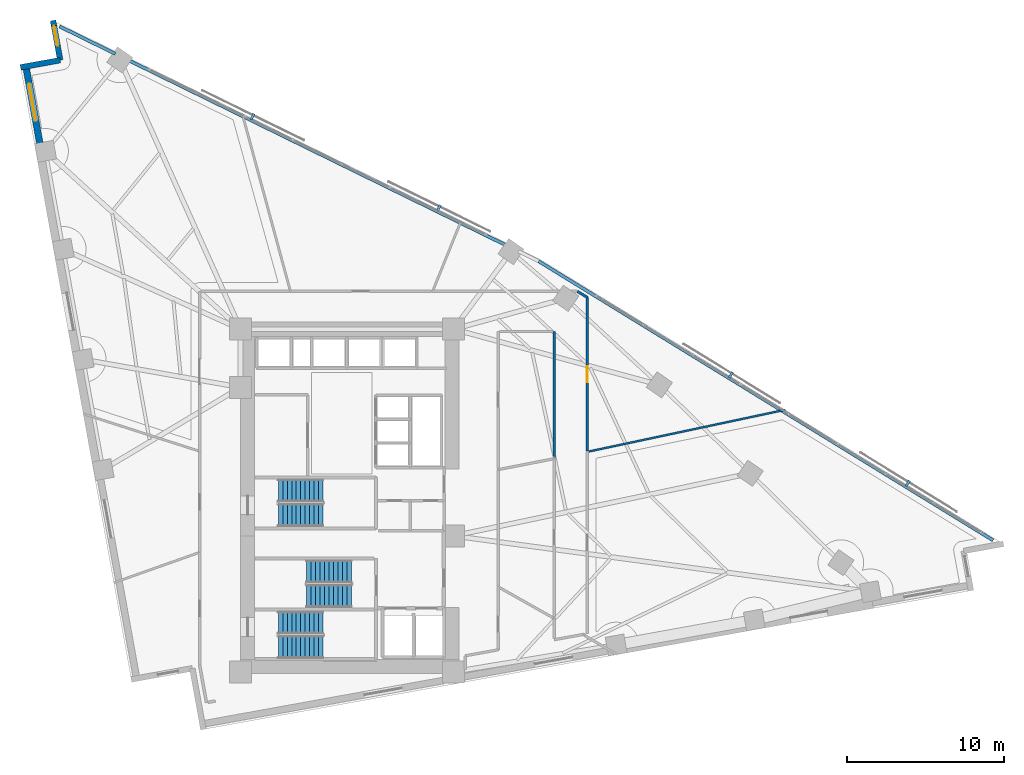
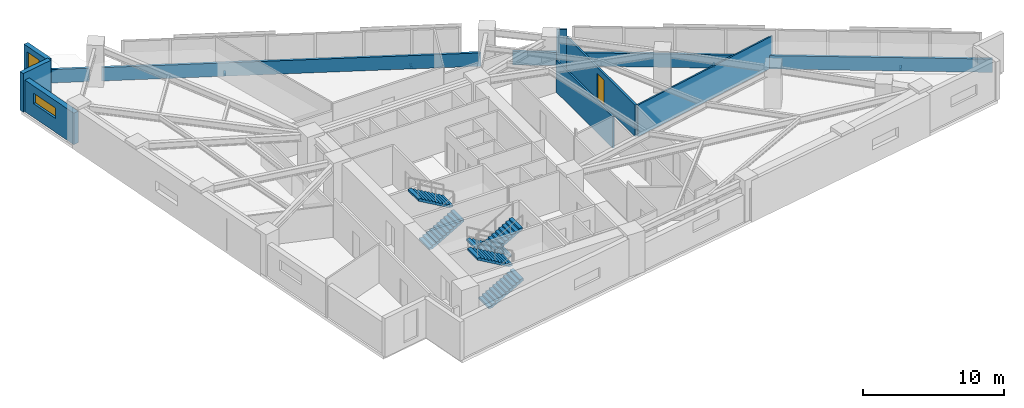
# One storey, part 16 of 18: 10 walls, 6 stair flights, 4 discrete accessories, 2 windows, 1 door, 3 openings, 3 elements without a shape of their own.
"""IFC4 building model written with IfcOpenShell, lengths in metres."""

from ifc_helpers import new_model, si_unit, direction, frame, frame_2d, origin, origin_2d, place, context, subcontext, project, spatial, polyline, rectangle, outline, extrude, material, layer, layer_set, type_object, element, fill, aggregate, save


model = new_model("IFC4")

# Units and contexts
model_context = context("Model", 3, precision=1e-05, world=origin(), true_north=direction((0.0, 1.0)))
body_context = subcontext(model_context, "Body", "Model", "MODEL_VIEW")
ifc_project = project(units=[si_unit("LENGTHUNIT", "METRE"), si_unit("AREAUNIT", "SQUARE_METRE"), si_unit("VOLUMEUNIT", "CUBIC_METRE"), si_unit("PLANEANGLEUNIT", "RADIAN"), si_unit("MASSUNIT", "GRAM", prefix="KILO")], contexts=[model_context])

# Site, building, storey
site_placement = place(None, origin())
site = spatial("IfcSite", under=ifc_project, at=site_placement, CompositionType="ELEMENT")
building_placement = place(site_placement, origin())
building = spatial("IfcBuilding", under=site, at=building_placement, Name="Narakoshi Arena Tower", CompositionType="ELEMENT")
storey_placement = place(building_placement, frame((0.0, 0.0, 110.10009765625)))
storey = spatial("IfcBuildingStorey", under=building, at=storey_placement, Name="L29", CompositionType="ELEMENT", Elevation=110.10009765625)

# Wall, opening, door
ifc_material_1 = material(Name="Gypsum plasterboard fire-rated partition")
ifc_layer_1 = layer(ifc_material_1, 0.1650390625)
ifc_layer_set_1 = layer_set([ifc_layer_1], Name="Gypsum plasterboard fire-rated partition")
wall_type_1 = type_object("IfcWallType", Name="WL-CORR-165", PredefinedType="PARTITIONING", material=ifc_layer_set_1)
wall_1_placement = place(storey_placement, frame((94.061279296875, 48.7587890625, 0.0), z_axis=(0.0, 0.0, 1.0), x_axis=(0.0, 1.0, 0.0)))
wall_1 = element("IfcWall", 1, at=wall_1_placement, inside=storey, type_object=wall_type_1, Name="L29 Corridor Partition 05-1", PredefinedType="PARTITIONING", context=body_context, shape_type="SweptSolid", body=[
    extrude(rectangle(XDim=9.7607421875, YDim=0.1650390625, at=frame_2d((4.88037109375, 0.0))), origin(), (0.0, 0.0, 1.0), 2.724853515625),
])
opening_1_placement = place(wall_1_placement, frame((4.38037109375, 0.0, 0.0)))
opening_1 = element("IfcOpeningElement", 2, at=opening_1_placement, cuts=wall_1, Name="Opening D-06", PredefinedType="OPENING", context=body_context, shape_type="SweptSolid", body=[
    extrude(rectangle(XDim=1.0, YDim=2.199951171875, at=frame_2d((0.5, 1.10009765625))), frame((0.0, 0.092529296875, 0.0), z_axis=(0.0, -1.0, 0.0), x_axis=(1.0, 0.0, 0.0)), (0.0, 0.0, 1.0), 0.18505859375),
])
ifc_material_2 = material(Name="Stained oak solid-core timber", Category="wood")
door_type = type_object("IfcDoorType", Name="DR-OFF-1000", OperationType="NOTDEFINED", PredefinedType="DOOR", material=ifc_material_2)
door_placement = place(opening_1_placement, frame((1.0, 0.0, 0.0), z_axis=(0.0, 0.0, 1.0), x_axis=(-1.0, 0.0, 0.0)))
door = element("IfcDoor", 3, at=door_placement, inside=storey, type_object=door_type, Name="DR-L29-018", OperationType="SINGLE_SWING_LEFT", OverallHeight=2.199951171875, OverallWidth=1.0, PredefinedType="DOOR", context=body_context, shape_type="SweptSolid", body=[
    extrude(rectangle(XDim=1.0, YDim=2.199951171875, at=frame_2d((0.5, 1.10009765625))), frame((0.0, 0.02490234375, 0.0), z_axis=(0.0, -1.0, 0.0), x_axis=(1.0, 0.0, 0.0)), (0.0, 0.0, 1.0), 0.050048828125),
])
fill(opening_1, door)

# Walls
wall_2_placement = place(storey_placement, frame((94.061279296875, 58.51953125, 0.0), z_axis=(0.0, 0.0, 1.0), x_axis=(-0.85211988458, 0.523346636852, 0.0)))
element("IfcWall", 4, at=wall_2_placement, inside=storey, type_object=wall_type_1, Name="L29 Corridor Partition 05-3", PredefinedType="PARTITIONING", context=body_context, shape_type="SweptSolid", body=[
    extrude(rectangle(XDim=0.744140625, YDim=0.1650390625, at=frame_2d((0.3720703125, 0.0))), origin(), (0.0, 0.0, 1.0), 3.33984375),
])
ifc_material_3 = material(Name="Precast concrete C45/55", Category="concrete")
ifc_layer_2 = layer(ifc_material_3, 0.25)
ifc_layer_set_2 = layer_set([ifc_layer_2], Name="Precast concrete C45/55")
wall_type_2 = type_object("IfcWallType", Name="WL-PARA-250", PredefinedType="PARAPET", material=ifc_layer_set_2)
wall_3_placement = place(storey_placement, frame((119.86474609375, 43.0703125, 0.0), z_axis=(0.0, 0.0, 1.0), x_axis=(-0.852110824326, 0.52336138859, 0.0)))
element("IfcWall", 5, at=wall_3_placement, inside=storey, type_object=wall_type_2, Name="L29 Hypotenuse Sill Upstand Parapet 1-01", PredefinedType="PARAPET", context=body_context, shape_type="SweptSolid", body=[
    extrude(rectangle(XDim=33.931640625, YDim=0.199951171875, at=frame_2d((16.9658203125, 0.0))), origin(), (0.0, 0.0, 1.0), 1.14990234375),
])
wall_4_placement = place(storey_placement, frame((88.9208984375, 61.82275390625, 0.0), z_axis=(0.0, 0.0, 1.0), x_axis=(-0.897993533426, 0.440008652103, 0.0)))
element("IfcWall", 6, at=wall_4_placement, inside=storey, type_object=wall_type_2, Name="L29 Hypotenuse Sill Upstand Parapet 2-02", PredefinedType="PARAPET", context=body_context, shape_type="SweptSolid", body=[
    extrude(rectangle(XDim=26.86376953125, YDim=0.199951171875, at=frame_2d((13.431884765625, 0.0))), origin(), (0.0, 0.0, 1.0), 1.14990234375),
])
wall_5_placement = place(storey_placement, frame((64.031982421875, 74.01806640625, 0.0), z_axis=(0.0, 0.0, 1.0), x_axis=(-0.89799103332, 0.440013754417, 0.0)))
element("IfcWall", 7, at=wall_5_placement, inside=storey, type_object=wall_type_2, Name="L29 Hypotenuse Sill Upstand Parapet 2-03", PredefinedType="PARAPET", context=body_context, shape_type="SweptSolid", body=[
    extrude(rectangle(XDim=3.954833984375, YDim=0.199951171875, at=frame_2d((1.9775390625, 0.0))), origin(), (0.0, 0.0, 1.0), 1.14990234375),
])
ifc_layer_3 = layer(ifc_material_1, 0.125)
ifc_layer_set_3 = layer_set([ifc_layer_3], Name="Gypsum plasterboard fire-rated partition")
wall_type_3 = type_object("IfcWallType", Name="WL-PART-125", PredefinedType="PARTITIONING", material=ifc_layer_set_3)
wall_6_placement = place(storey_placement, frame((94.15576171875, 48.718994140625, 0.0), z_axis=(0.0, 0.0, 1.0), x_axis=(0.978192494571, 0.207700369679, 0.0)))
element("IfcWall", 8, at=wall_6_placement, inside=storey, type_object=wall_type_3, Name="L29 Inter-Room Partition 04-05", PredefinedType="PARTITIONING", context=body_context, shape_type="SweptSolid", body=[
    extrude(rectangle(XDim=12.77587890625, YDim=0.125, at=frame_2d((6.387939453125, 0.0))), origin(), (0.0, 0.0, 1.0), 2.724853515625),
])

# Wall, opening, window
ifc_layer_4 = layer(ifc_material_3, 0.419921875)
ifc_layer_set_4 = layer_set([ifc_layer_4], Name="Precast concrete C45/55")
wall_type_4 = type_object("IfcWallType", Name="WL-POD-420", PredefinedType="SOLIDWALL", material=ifc_layer_set_4)
wall_7_placement = place(storey_placement, frame((58.341796875, 73.2197265625, 0.0), z_axis=(0.0, 0.0, 1.0), x_axis=(0.177981837245, -0.984033772597, 0.0)))
wall_7 = element("IfcWall", 9, at=wall_7_placement, inside=storey, type_object=wall_type_4, Name="L29 Architectural Concrete Facade Wall LEGB-1", PredefinedType="SOLIDWALL", context=body_context, shape_type="SweptSolid", body=[
    extrude(rectangle(XDim=5.540283203125, YDim=0.419921875, at=frame_2d((2.77001953125, 0.0))), origin(), (0.0, 0.0, 1.0), 2.724853515625),
])
opening_2_placement = place(wall_7_placement, frame((1.11767578125, 0.0, 1.199951171875)))
opening_2 = element("IfcOpeningElement", 10, at=opening_2_placement, cuts=wall_7, Name="Opening WN-01", PredefinedType="OPENING", context=body_context, shape_type="SweptSolid", body=[
    extrude(rectangle(XDim=2.39990234375, YDim=0.89990234375, at=frame_2d((1.199951171875, 0.449951171875))), frame((0.0, 0.219970703125, 0.0), z_axis=(0.0, -1.0, 0.0), x_axis=(1.0, 0.0, 0.0)), (0.0, 0.0, 1.0), 0.43994140625),
])
ifc_material_4 = material(Name="Bronze-tinted low-E laminated glass", Category="glass")
window_type_1 = type_object("IfcWindowType", Name="WIN-SLT-24x09", PartitioningType="SINGLE_PANEL", PredefinedType="WINDOW", material=ifc_material_4)
window_1_placement = place(opening_2_placement, origin())
window_1 = element("IfcWindow", 11, at=window_1_placement, inside=storey, type_object=window_type_1, Name="L29 LEGB1 Horizontal Slot Window 1", OverallHeight=0.89990234375, OverallWidth=2.39990234375, PartitioningType="SINGLE_PANEL", PredefinedType="WINDOW", context=body_context, shape_type="SweptSolid", body=[
    extrude(rectangle(XDim=2.39990234375, YDim=0.89990234375, at=frame_2d((1.199951171875, 0.449951171875))), frame((0.0, 0.030029296875, 0.0), z_axis=(0.0, -1.0, 0.0), x_axis=(1.0, 0.0, 0.0)), (0.0, 0.0, 1.0), 0.06005859375),
])
fill(opening_2, window_1)

wall_8_placement = place(storey_placement, frame((60.066162109375, 76.139404296875, 0.0), z_axis=(0.0, 0.0, 1.0), x_axis=(0.177897493713, -0.984049024048, 0.0)))
wall_8 = element("IfcWall", 12, at=wall_8_placement, inside=storey, type_object=wall_type_4, Name="L29 Re-Entrant Corner Notch Wall NTN-1", PredefinedType="SOLIDWALL", context=body_context, shape_type="SweptSolid", body=[
    extrude(rectangle(XDim=2.56640625, YDim=0.360107421875, at=frame_2d((1.283203125, 0.0))), origin(), (0.0, 0.0, 1.0), 3.33984375),
])
opening_3_placement = place(wall_8_placement, frame((0.340087890625, 0.0, 0.449951171875)))
opening_3 = element("IfcOpeningElement", 13, at=opening_3_placement, cuts=wall_8, Name="Opening WN-06", PredefinedType="OPENING", context=body_context, shape_type="SweptSolid", body=[
    extrude(rectangle(XDim=1.300048828125, YDim=2.39990234375, at=frame_2d((0.64990234375, 1.199951171875))), frame((0.0, 0.18994140625, 0.0), z_axis=(0.0, -1.0, 0.0), x_axis=(1.0, 0.0, 0.0)), (0.0, 0.0, 1.0), 0.380126953125),
])
window_type_2 = type_object("IfcWindowType", Name="WIN-NTC-16x24", PartitioningType="SINGLE_PANEL", PredefinedType="WINDOW", material=ifc_material_4)
window_2_placement = place(opening_3_placement, origin())
window_2 = element("IfcWindow", 14, at=window_2_placement, inside=storey, type_object=window_type_2, Name="L29 Corner Notch Window NTN", OverallHeight=2.39990234375, OverallWidth=1.300048828125, PartitioningType="SINGLE_PANEL", PredefinedType="WINDOW", context=body_context, shape_type="SweptSolid", body=[
    extrude(rectangle(XDim=1.300048828125, YDim=2.39990234375, at=frame_2d((0.64990234375, 1.199951171875))), frame((0.0, 0.030029296875, 0.0), z_axis=(0.0, -1.0, 0.0), x_axis=(1.0, 0.0, 0.0)), (0.0, 0.0, 1.0), 0.06005859375),
])
fill(opening_3, window_2)

# Walls
wall_9_placement = place(storey_placement, frame((60.522705078125, 73.614013671875, 0.0), z_axis=(0.0, 0.0, 1.0), x_axis=(-0.984046012923, -0.177914149102, 0.0)))
element("IfcWall", 15, at=wall_9_placement, inside=storey, type_object=wall_type_4, Name="L29 Re-Entrant Corner Notch Wall NTN-2", PredefinedType="SOLIDWALL", context=body_context, shape_type="SweptSolid", body=[
    extrude(rectangle(XDim=2.566162109375, YDim=0.360107421875, at=frame_2d((1.283203125, 0.0))), origin(), (0.0, 0.0, 1.0), 3.33984375),
])
ifc_material_5 = material(Name="Moisture-resistant cement-board partition")
ifc_layer_5 = layer(ifc_material_5, 0.14501953125)
ifc_layer_set_5 = layer_set([ifc_layer_5], Name="Moisture-resistant cement-board partition")
wall_type_5 = type_object("IfcWallType", Name="WL-WET-145", PredefinedType="PARTITIONING", material=ifc_layer_set_5)
wall_10_placement = place(storey_placement, frame((91.961181640625, 56.35009765625, 0.0), z_axis=(0.0, 0.0, 1.0), x_axis=(0.0, -1.0, 0.0)))
element("IfcWall", 16, at=wall_10_placement, inside=storey, type_object=wall_type_5, Name="L29 Corridor Partition 06-2", PredefinedType="PARTITIONING", context=body_context, shape_type="SweptSolid", body=[
    extrude(rectangle(XDim=8.0244140625, YDim=0.14501953125, at=frame_2d((4.01220703125, 0.0))), origin(), (0.0, 0.0, 1.0), 2.724853515625),
])

# Stair, stair flights
ifc_material_6 = material(Name="Concrete C45/55", Category="concrete")
stair_type = type_object("IfcStairType", Name="STR-CORE-360", PredefinedType="TWO_STRAIGHT_RUN_STAIR", material=ifc_material_6)
stair_1_placement = place(storey_placement, origin())
stair_1 = element("IfcStair", 17, at=stair_1_placement, inside=storey, type_object=stair_type, Name="L29 Core Escape Stair ST1", PredefinedType="TWO_STRAIGHT_RUN_STAIR")
stair_flight_type = type_object("IfcStairFlightType", Name="FLT-145-160", PredefinedType="STRAIGHT", material=ifc_material_3)
stair_flight_1_placement = place(storey_placement, frame((74.39990234375, 36.27490234375, 0.0), z_axis=(0.0, 0.0, 1.0), x_axis=(1.0, 0.0, 0.0)))
stair_flight_1 = element("IfcStairFlight", 18, at=stair_flight_1_placement, type_object=stair_flight_type, Name="ST1 flight 1", NumberOfRisers=11, NumberOfTreads=10, PredefinedType="STRAIGHT", RiserHeight=0.163636364, TreadLength=0.285, context=body_context, shape_type="SweptSolid", body=[
    extrude(outline(polyline([(0.0, 0.0), (0.0, 0.16357421875), (0.284912109375, 0.16357421875), (0.284912109375, 0.327392578125), (0.570068359375, 0.327392578125), (0.570068359375, 0.490966796875), (0.85498046875, 0.490966796875), (0.85498046875, 0.654541015625), (1.139892578125, 0.654541015625), (1.139892578125, 0.818115234375), (1.425048828125, 0.818115234375), (1.425048828125, 0.98193359375), (1.7099609375, 0.98193359375), (1.7099609375, 1.1455078125), (1.9951171875, 1.1455078125), (1.9951171875, 1.30908203125), (2.280029296875, 1.30908203125), (2.280029296875, 1.47265625), (2.56494140625, 1.47265625), (2.56494140625, 1.636474609375), (2.85009765625, 1.636474609375), (2.85009765625, 1.800048828125), (2.85009765625, 1.463623046875), (0.301025390625, 0.0), (0.0, 0.0)])), frame((0.0, 0.72509765625, 0.0), z_axis=(0.0, -1.0, 0.0), x_axis=(1.0, 0.0, 0.0)), (0.0, 0.0, 1.0), 1.449951171875),
])
stair_flight_2_placement = place(storey_placement, frame((77.25, 37.824951171875, 1.7998046875), z_axis=(0.0, 0.0, 1.0), x_axis=(-1.0, 0.0, 0.0)))
stair_flight_2 = element("IfcStairFlight", 19, at=stair_flight_2_placement, type_object=stair_flight_type, Name="ST1 flight 2", NumberOfRisers=11, NumberOfTreads=10, PredefinedType="STRAIGHT", RiserHeight=0.163636364, TreadLength=0.285, context=body_context, shape_type="SweptSolid", body=[
    extrude(outline(polyline([(0.0, 0.0), (0.0, 0.16357421875), (0.284912109375, 0.16357421875), (0.284912109375, 0.327392578125), (0.570068359375, 0.327392578125), (0.570068359375, 0.490966796875), (0.85498046875, 0.490966796875), (0.85498046875, 0.654541015625), (1.139892578125, 0.654541015625), (1.139892578125, 0.818115234375), (1.425048828125, 0.818115234375), (1.425048828125, 0.98193359375), (1.7099609375, 0.98193359375), (1.7099609375, 1.1455078125), (1.9951171875, 1.1455078125), (1.9951171875, 1.30908203125), (2.280029296875, 1.30908203125), (2.280029296875, 1.47265625), (2.56494140625, 1.47265625), (2.56494140625, 1.636474609375), (2.85009765625, 1.636474609375), (2.85009765625, 1.800048828125), (2.85009765625, 1.463623046875), (0.301025390625, 0.0), (0.0, 0.0)])), frame((0.0, 0.72509765625, 0.0), z_axis=(0.0, -1.0, 0.0), x_axis=(1.0, 0.0, 0.0)), (0.0, 0.0, 1.0), 1.449951171875),
])
aggregate(stair_1, [stair_flight_1, stair_flight_2])

stair_2_placement = place(storey_placement, origin())
stair_2 = element("IfcStair", 20, at=stair_2_placement, inside=storey, type_object=stair_type, Name="L29 Core Escape Stair ST2", PredefinedType="TWO_STRAIGHT_RUN_STAIR")
stair_flight_3_placement = place(storey_placement, frame((79.050048828125, 41.074951171875, 0.0), z_axis=(0.0, 0.0, 1.0), x_axis=(-1.0, 0.0, 0.0)))
stair_flight_3 = element("IfcStairFlight", 21, at=stair_flight_3_placement, type_object=stair_flight_type, Name="ST2 flight 1", NumberOfRisers=11, NumberOfTreads=10, PredefinedType="STRAIGHT", RiserHeight=0.163636364, TreadLength=0.285, context=body_context, shape_type="SweptSolid", body=[
    extrude(outline(polyline([(0.0, 0.0), (0.0, 0.16357421875), (0.284912109375, 0.16357421875), (0.284912109375, 0.327392578125), (0.570068359375, 0.327392578125), (0.570068359375, 0.490966796875), (0.85498046875, 0.490966796875), (0.85498046875, 0.654541015625), (1.139892578125, 0.654541015625), (1.139892578125, 0.818115234375), (1.425048828125, 0.818115234375), (1.425048828125, 0.98193359375), (1.7099609375, 0.98193359375), (1.7099609375, 1.1455078125), (1.9951171875, 1.1455078125), (1.9951171875, 1.30908203125), (2.280029296875, 1.30908203125), (2.280029296875, 1.47265625), (2.56494140625, 1.47265625), (2.56494140625, 1.636474609375), (2.85009765625, 1.636474609375), (2.85009765625, 1.800048828125), (2.85009765625, 1.463623046875), (0.301025390625, 0.0), (0.0, 0.0)])), frame((0.0, 0.72509765625, 0.0), z_axis=(0.0, -1.0, 0.0), x_axis=(1.0, 0.0, 0.0)), (0.0, 0.0, 1.0), 1.449951171875),
])
stair_flight_4_placement = place(storey_placement, frame((76.199951171875, 39.52490234375, 1.7998046875), z_axis=(0.0, 0.0, 1.0), x_axis=(1.0, 0.0, 0.0)))
stair_flight_4 = element("IfcStairFlight", 22, at=stair_flight_4_placement, type_object=stair_flight_type, Name="ST2 flight 2", NumberOfRisers=11, NumberOfTreads=10, PredefinedType="STRAIGHT", RiserHeight=0.163636364, TreadLength=0.285, context=body_context, shape_type="SweptSolid", body=[
    extrude(outline(polyline([(0.0, 0.0), (0.0, 0.16357421875), (0.284912109375, 0.16357421875), (0.284912109375, 0.327392578125), (0.570068359375, 0.327392578125), (0.570068359375, 0.490966796875), (0.85498046875, 0.490966796875), (0.85498046875, 0.654541015625), (1.139892578125, 0.654541015625), (1.139892578125, 0.818115234375), (1.425048828125, 0.818115234375), (1.425048828125, 0.98193359375), (1.7099609375, 0.98193359375), (1.7099609375, 1.1455078125), (1.9951171875, 1.1455078125), (1.9951171875, 1.30908203125), (2.280029296875, 1.30908203125), (2.280029296875, 1.47265625), (2.56494140625, 1.47265625), (2.56494140625, 1.636474609375), (2.85009765625, 1.636474609375), (2.85009765625, 1.800048828125), (2.85009765625, 1.463623046875), (0.301025390625, 0.0), (0.0, 0.0)])), frame((0.0, 0.72509765625, 0.0), z_axis=(0.0, -1.0, 0.0), x_axis=(1.0, 0.0, 0.0)), (0.0, 0.0, 1.0), 1.449951171875),
])
aggregate(stair_2, [stair_flight_3, stair_flight_4])

stair_3_placement = place(storey_placement, origin())
stair_3 = element("IfcStair", 23, at=stair_3_placement, inside=storey, type_object=stair_type, Name="L29 Core Escape Stair ST3", PredefinedType="TWO_STRAIGHT_RUN_STAIR")
stair_flight_5_placement = place(storey_placement, frame((74.39990234375, 44.675048828125, 0.0), z_axis=(0.0, 0.0, 1.0), x_axis=(1.0, 0.0, 0.0)))
stair_flight_5 = element("IfcStairFlight", 24, at=stair_flight_5_placement, type_object=stair_flight_type, Name="ST3 flight 1", NumberOfRisers=11, NumberOfTreads=10, PredefinedType="STRAIGHT", RiserHeight=0.163636364, TreadLength=0.285, context=body_context, shape_type="SweptSolid", body=[
    extrude(outline(polyline([(0.0, 0.0), (0.0, 0.16357421875), (0.284912109375, 0.16357421875), (0.284912109375, 0.327392578125), (0.570068359375, 0.327392578125), (0.570068359375, 0.490966796875), (0.85498046875, 0.490966796875), (0.85498046875, 0.654541015625), (1.139892578125, 0.654541015625), (1.139892578125, 0.818115234375), (1.425048828125, 0.818115234375), (1.425048828125, 0.98193359375), (1.7099609375, 0.98193359375), (1.7099609375, 1.1455078125), (1.9951171875, 1.1455078125), (1.9951171875, 1.30908203125), (2.280029296875, 1.30908203125), (2.280029296875, 1.47265625), (2.56494140625, 1.47265625), (2.56494140625, 1.636474609375), (2.85009765625, 1.636474609375), (2.85009765625, 1.800048828125), (2.85009765625, 1.463623046875), (0.301025390625, 0.0), (0.0, 0.0)])), frame((0.0, 0.72509765625, 0.0), z_axis=(0.0, -1.0, 0.0), x_axis=(1.0, 0.0, 0.0)), (0.0, 0.0, 1.0), 1.449951171875),
])
stair_flight_6_placement = place(storey_placement, frame((77.25, 46.22509765625, 1.7998046875), z_axis=(0.0, 0.0, 1.0), x_axis=(-1.0, 0.0, 0.0)))
stair_flight_6 = element("IfcStairFlight", 25, at=stair_flight_6_placement, type_object=stair_flight_type, Name="ST3 flight 2", NumberOfRisers=11, NumberOfTreads=10, PredefinedType="STRAIGHT", RiserHeight=0.163636364, TreadLength=0.285, context=body_context, shape_type="SweptSolid", body=[
    extrude(outline(polyline([(0.0, 0.0), (0.0, 0.16357421875), (0.284912109375, 0.16357421875), (0.284912109375, 0.327392578125), (0.570068359375, 0.327392578125), (0.570068359375, 0.490966796875), (0.85498046875, 0.490966796875), (0.85498046875, 0.654541015625), (1.139892578125, 0.654541015625), (1.139892578125, 0.818115234375), (1.425048828125, 0.818115234375), (1.425048828125, 0.98193359375), (1.7099609375, 0.98193359375), (1.7099609375, 1.1455078125), (1.9951171875, 1.1455078125), (1.9951171875, 1.30908203125), (2.280029296875, 1.30908203125), (2.280029296875, 1.47265625), (2.56494140625, 1.47265625), (2.56494140625, 1.636474609375), (2.85009765625, 1.636474609375), (2.85009765625, 1.800048828125), (2.85009765625, 1.463623046875), (0.301025390625, 0.0), (0.0, 0.0)])), frame((0.0, 0.72509765625, 0.0), z_axis=(0.0, -1.0, 0.0), x_axis=(1.0, 0.0, 0.0)), (0.0, 0.0, 1.0), 1.449951171875),
])
aggregate(stair_3, [stair_flight_5, stair_flight_6])

# Discrete accessories
ifc_material_7 = material(Name="Structural steel S355J2", Category="steel")
discrete_accessory_type = type_object("IfcDiscreteAccessoryType", Name="ACC-BRK-SCR", PredefinedType="BRACKET", material=ifc_material_7)
for number, where, z_axis, x_axis, name in (
    (26, (114.442138671875, 46.6826171875, -0.080078125), (0.0, 0.0, 1.0), (-0.852110807003, 0.523361416794, 0.0), "L29 Solar Screen Support Bracket SHD-L29-SCR1-1"),
    (27, (103.1943359375, 53.5908203125, -0.080078125), (0.0, 0.0, 1.0), (-0.852110807003, 0.523361416794, 0.0), "L29 Solar Screen Support Bracket SHD-L29-SCR1-2"),
    (28, (84.6044921875, 64.205078125, -0.080078125), (0.0, 0.0, 1.0), (-0.897996860024, 0.440001862936, 0.0), "L29 Solar Screen Support Bracket SHD-L29-SCR2-1"),
    (29, (72.7509765625, 70.01318359375, -0.080078125), (0.0, 0.0, 1.0), (-0.897996860024, 0.440001862936, 0.0), "L29 Solar Screen Support Bracket SHD-L29-SCR2-2"),
):
    element("IfcDiscreteAccessory", number, at=place(storey_placement, frame(where, z_axis=z_axis, x_axis=x_axis)), inside=storey, type_object=discrete_accessory_type, Name=name, PredefinedType="BRACKET", context=body_context, shape_type="SweptSolid", body=[
        extrude(rectangle(XDim=0.159912109375, YDim=0.425048828125, at=origin_2d()), origin(), (0.0, 0.0, 1.0), 0.199951171875),
    ])

save(model, "model.ifc")
